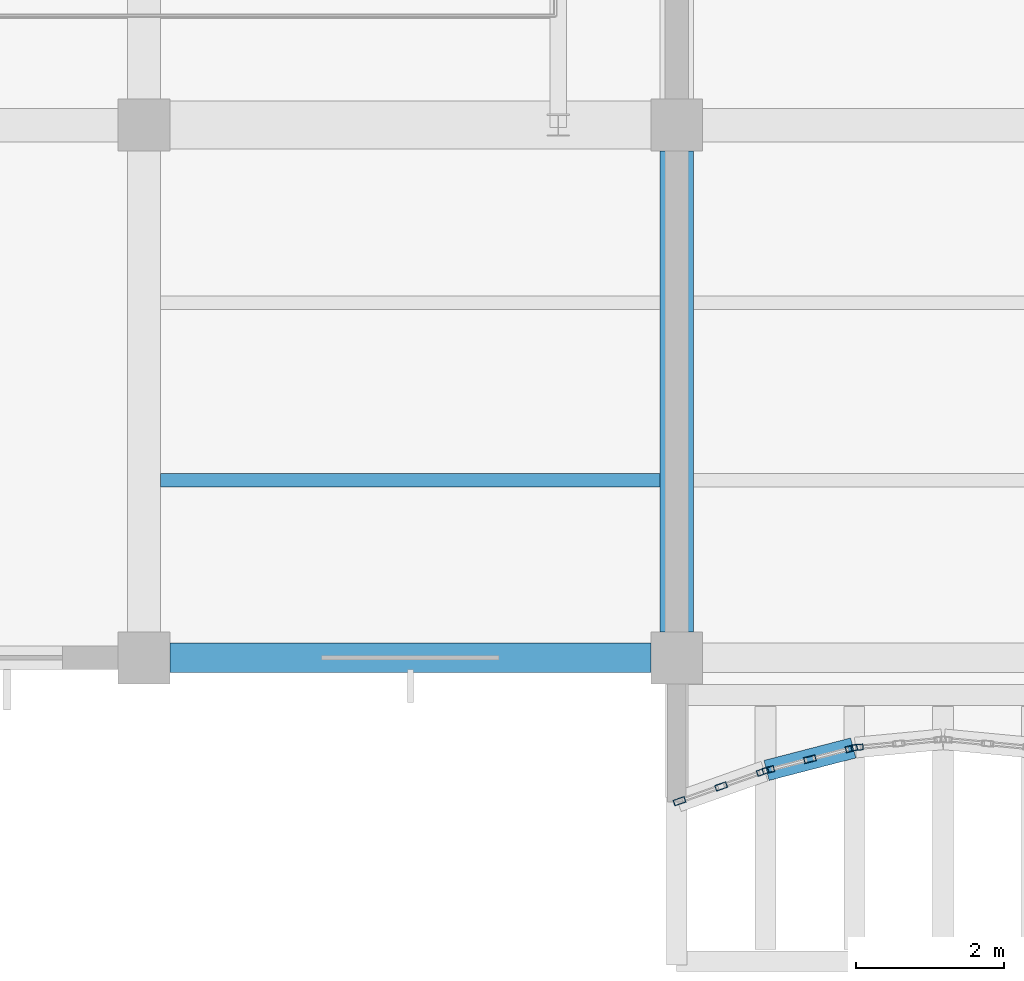
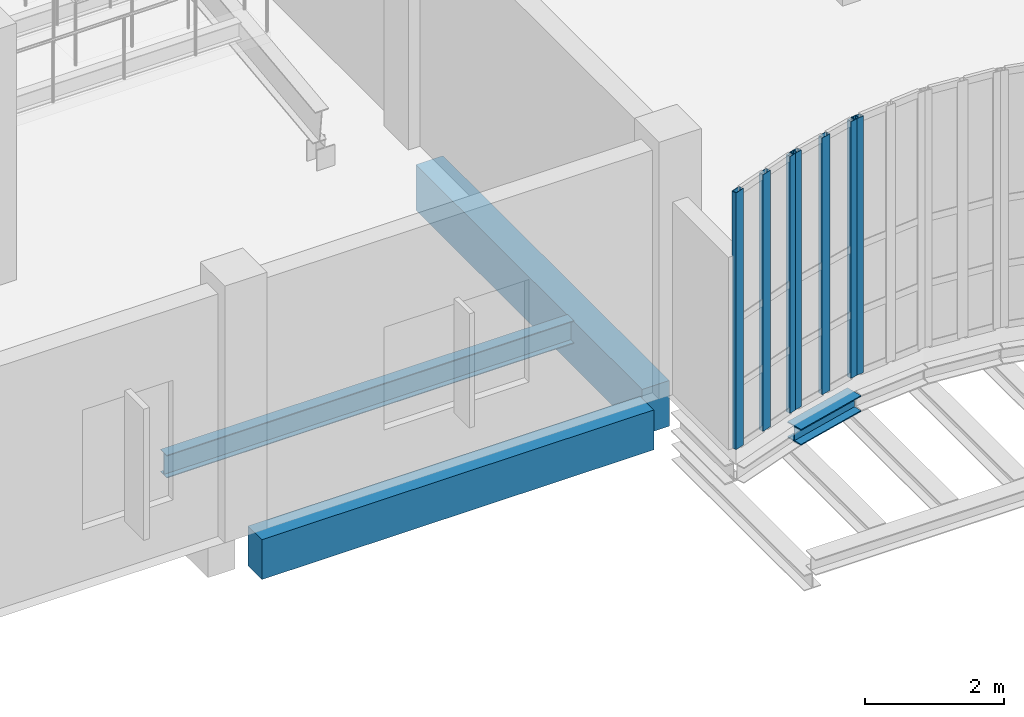
# One storey, part 11 of 108: 7 members, 4 beams, 3 elements without a shape of their own.
"""IFC4 building model written with IfcOpenShell, lengths in metres."""

import ifcopenshell
import ifcopenshell.guid

model = None  # the IFC model being written
_history = None  # IfcOwnerHistory: only IFC2X3 demands one
_inside = {}  # id of a spatial element -> (the spatial element, [elements in it])
_under = {}  # id of a project, library or spatial element -> (it, [spatial elements below it])
_declared = {}  # id of a project -> (the project, [libraries it declares])
_typed = {}  # id of a type object -> (the type object, [elements of that type])
_made_of = {}  # id of a material, layer set ... -> (it, [elements and type objects made of it])


def new_model(schema):
    """Start an empty IFC model of exactly this schema.

    Asked for "IFC4X3", IfcOpenShell would pick the latest addendum, in which some entities
    have other attributes; the version numbers below select the first issue.
    IFC2X3 requires an IfcOwnerHistory on every rooted entity: one is made here for all.
    """
    global model, _history
    if schema == "IFC4X3":
        model = ifcopenshell.file(schema_version=(4, 3, 0, 0))
    else:
        model = ifcopenshell.file(schema=schema)
    _inside.clear()
    _under.clear()
    _declared.clear()
    _typed.clear()
    _made_of.clear()
    _history = None
    if model.schema == "IFC2X3":
        org = make("IfcOrganization", Name="unknown")
        user = make(
            "IfcPersonAndOrganization",
            ThePerson=make("IfcPerson", FamilyName="unknown"),
            TheOrganization=org,
        )
        app = make(
            "IfcApplication",
            ApplicationDeveloper=org,
            Version="unknown",
            ApplicationFullName="unknown",
            ApplicationIdentifier="unknown",
        )
        _history = make(
            "IfcOwnerHistory",
            OwningUser=user,
            OwningApplication=app,
            ChangeAction="ADDED",
            CreationDate=0,
        )
    return model


def make(cls, **values):
    """One entity of the class cls with the attributes given. An attribute that is None is left unset."""
    return model.create_entity(
        cls, **{name: value for name, value in values.items() if value is not None}
    )


def rooted(cls, **values):
    """An entity with a GlobalId (a new one), such as an element, a storey or a relation."""
    return make(cls, GlobalId=ifcopenshell.guid.new(), OwnerHistory=_history, **values)


def si_unit(unit_type, name, prefix=None):
    """IfcSIUnit, for example si_unit("LENGTHUNIT", "METRE", prefix="MILLI")."""
    return make("IfcSIUnit", UnitType=unit_type, Prefix=prefix, Name=name)


def assignment(units):
    """IfcUnitAssignment: the units of a project."""
    return None if units is None else make("IfcUnitAssignment", Units=units)


def point(xyz):
    """IfcCartesianPoint."""
    return None if xyz is None else make("IfcCartesianPoint", Coordinates=xyz)


def direction(xyz):
    """IfcDirection."""
    return None if xyz is None else make("IfcDirection", DirectionRatios=xyz)


def frame(location, z_axis=None, x_axis=None):
    """IfcAxis2Placement3D, a coordinate frame: its origin and axes. An axis left out is left unset."""
    return make(
        "IfcAxis2Placement3D",
        Location=point(location),
        Axis=direction(z_axis),
        RefDirection=direction(x_axis),
    )


def frame_2d(location, x_axis=None):
    """IfcAxis2Placement2D, a coordinate frame in the plane: its origin and x axis."""
    return make(
        "IfcAxis2Placement2D", Location=point(location), RefDirection=direction(x_axis)
    )


def origin():
    """The frame at (0, 0, 0) with its axes left unset."""
    return frame((0.0, 0.0, 0.0))


def origin_2d():
    """The frame at (0, 0) in the plane with its x axis left unset."""
    return frame_2d((0.0, 0.0))


def place(relative_to, where):
    """IfcLocalPlacement: puts the frame where relative to a parent placement (None: the world)."""
    return make(
        "IfcLocalPlacement", PlacementRelTo=relative_to, RelativePlacement=where
    )


def context(
    kind, dimensions, precision=None, world=None, true_north=None, identifier=None
):
    """IfcGeometricRepresentationContext, for example the 3D "Model" context."""
    return make(
        "IfcGeometricRepresentationContext",
        ContextIdentifier=identifier,
        ContextType=kind,
        CoordinateSpaceDimension=dimensions,
        Precision=precision,
        WorldCoordinateSystem=world,
        TrueNorth=true_north,
    )


def subcontext(parent, identifier, kind, view, scale=None):
    """IfcGeometricRepresentationSubContext, for example "Body" below "Model"."""
    return make(
        "IfcGeometricRepresentationSubContext",
        ContextIdentifier=identifier,
        ContextType=kind,
        ParentContext=parent,
        TargetScale=scale,
        TargetView=view,
    )


def project(units=None, contexts=None):
    """IfcProject with its units and contexts."""
    return rooted(
        "IfcProject",
        Name="project",
        RepresentationContexts=contexts,
        UnitsInContext=assignment(units),
    )


def spatial(cls, under=None, at=None, **own):
    """A site, building, storey or space (cls), placed at a placement, below another one or the project."""
    s = rooted(cls, ObjectPlacement=at, **own)
    if under is not None:
        _under.setdefault(under.id(), (under, []))[1].append(s)
    return s


def profile(cls, at=None, kind="AREA", **sizes):
    """A parametric profile (cls). Its sizes go by their IFC names, for example OverallWidth=200.0."""
    return make(cls, ProfileType=kind, Position=at, **sizes)


def rectangle(**sizes):
    """IfcRectangleProfileDef."""
    return profile("IfcRectangleProfileDef", **sizes)


def hollow_rectangle(**sizes):
    """IfcRectangleHollowProfileDef."""
    return profile("IfcRectangleHollowProfileDef", **sizes)


def i_section(**sizes):
    """IfcIShapeProfileDef."""
    return profile("IfcIShapeProfileDef", **sizes)


def extrude(swept, where, along, depth):
    """IfcExtrudedAreaSolid: the profile swept, set in the frame where, extruded along a direction by depth."""
    return make(
        "IfcExtrudedAreaSolid",
        SweptArea=swept,
        Position=where,
        ExtrudedDirection=direction(along),
        Depth=depth,
    )


def shape(context_of_items, identifier, shape_type, items):
    """IfcShapeRepresentation: the items that make up one representation, for example the "Body"."""
    return make(
        "IfcShapeRepresentation",
        ContextOfItems=context_of_items,
        RepresentationIdentifier=identifier,
        RepresentationType=shape_type,
        Items=items,
    )


def material(Name=None, Category=None):
    """IfcMaterial."""
    return make("IfcMaterial", Name=Name, Category=Category)


def layer(
    of_material, thickness, ventilated=None, Name=None, Category=None, Priority=None
):
    """IfcMaterialLayer: one layer of a wall or slab, of a material (None: an air gap)."""
    return make(
        "IfcMaterialLayer",
        Material=of_material,
        LayerThickness=thickness,
        IsVentilated=ventilated,
        Name=Name,
        Category=Category,
        Priority=Priority,
    )


def layer_set(layers, Name=None):
    """IfcMaterialLayerSet."""
    return make("IfcMaterialLayerSet", MaterialLayers=layers, LayerSetName=Name)


def material_profile(
    of_material, cross_section, Name=None, Category=None, Priority=None
):
    """IfcMaterialProfile: a cross section and its material."""
    return make(
        "IfcMaterialProfile",
        Name=Name,
        Material=of_material,
        Profile=cross_section,
        Priority=Priority,
        Category=Category,
    )


def profile_set(profiles, Name=None, composite=None):
    """IfcMaterialProfileSet."""
    return make(
        "IfcMaterialProfileSet",
        Name=Name,
        MaterialProfiles=profiles,
        CompositeProfile=composite,
    )


def made_of(thing, what):
    """Note that an element or type object is made of a material, layer set ...; save() writes the relation."""
    if what is not None:
        _made_of.setdefault(what.id(), (what, []))[1].append(thing)
    return thing


def type_object(cls, material=None, **own):
    """A type object (cls), such as IfcWallType, which elements share."""
    return made_of(rooted(cls, **own), material)


def element(
    cls,
    number,
    at=None,
    inside=None,
    cuts=None,
    type_object=None,
    material=None,
    context=None,
    identifier="Body",
    shape_type=None,
    held_by="IfcProductDefinitionShape",
    body=None,
    shapes=None,
    **own,
):
    """One element of the class cls, such as IfcWall. Its Tag is "e" and its number.

    at: its placement. inside: the storey or other place that contains it. cuts: it is an
    opening in that element (IfcRelVoidsElement). A single representation is given by context,
    identifier, shape_type and body (its items); several are given by shapes. held_by: the class
    of the entity that holds the representations. save() writes the other relations.
    """
    e = rooted(cls, Tag="e%d" % number, ObjectPlacement=at, **own)
    if body is not None:
        shapes = [shape(context, identifier, shape_type, body)]
    if shapes is not None:
        e.Representation = make(held_by, Representations=shapes)
    if inside is not None:
        _inside.setdefault(inside.id(), (inside, []))[1].append(e)
    if cuts is not None:
        rooted(
            "IfcRelVoidsElement", RelatingBuildingElement=cuts, RelatedOpeningElement=e
        )
    if type_object is not None:
        _typed.setdefault(type_object.id(), (type_object, []))[1].append(e)
    return made_of(e, material)


def aggregate(whole, parts):
    """IfcRelAggregates: a whole, such as a stair, and the parts it consists of."""
    return rooted("IfcRelAggregates", RelatingObject=whole, RelatedObjects=parts)


def save(model, path):
    """Write the relations noted so far, then the file.

    IfcRelAggregates (storeys below a building ...), IfcRelContainedInSpatialStructure (elements
    in a storey), IfcRelDefinesByType, IfcRelAssociatesMaterial and IfcRelDeclares: one each for
    every whole, place, type object, material and project.
    """
    for whole, parts in _under.values():
        aggregate(whole, parts)
    for where, things in _inside.values():
        rooted(
            "IfcRelContainedInSpatialStructure",
            RelatedElements=things,
            RelatingStructure=where,
        )
    for kind, things in _typed.values():
        rooted("IfcRelDefinesByType", RelatedObjects=things, RelatingType=kind)
    for what, things in _made_of.values():
        rooted("IfcRelAssociatesMaterial", RelatedObjects=things, RelatingMaterial=what)
    for by, libraries in _declared.values():
        rooted("IfcRelDeclares", RelatingContext=by, RelatedDefinitions=libraries)
    model.write(path)


model = new_model("IFC4")

# Units and contexts
model_context = context("Model", 3, precision=1e-05, world=origin(), true_north=direction((0.0, 1.0)))
body_context = subcontext(model_context, "Body", "Model", "MODEL_VIEW")
ifc_project = project(units=[si_unit("LENGTHUNIT", "METRE"), si_unit("AREAUNIT", "SQUARE_METRE"), si_unit("VOLUMEUNIT", "CUBIC_METRE"), si_unit("PLANEANGLEUNIT", "RADIAN"), si_unit("MASSUNIT", "GRAM", prefix="KILO"), si_unit("THERMODYNAMICTEMPERATUREUNIT", "KELVIN"), si_unit("POWERUNIT", "WATT")], contexts=[model_context])

# Site, building, storey
site_placement = place(None, origin())
site = spatial("IfcSite", under=ifc_project, at=site_placement, CompositionType="ELEMENT")
building_placement = place(site_placement, origin())
building = spatial("IfcBuilding", under=site, at=building_placement, Name="Kaldorven Railside Theatre", CompositionType="ELEMENT")
storey_placement = place(building_placement, frame((0.0, 0.0, 5.39990234375)))
storey = spatial("IfcBuildingStorey", under=building, at=storey_placement, Name="L01", CompositionType="ELEMENT", Elevation=5.39990234375)

# Beams
ifc_material_1 = material(Name="Steel S355", Category="steel")
ifc_material_profile_1 = material_profile(ifc_material_1, i_section(OverallWidth=0.280029296875, OverallDepth=0.280029296875, WebThickness=0.010498046875, FlangeThickness=0.01806640625, at=origin_2d()), Name="HEB 280")
ifc_profile_set_1 = profile_set([ifc_material_profile_1], Name="Steel S355")
beam_type_1 = type_object("IfcBeamType", Name="BM-HEB280", PredefinedType="SPANDREL", material=ifc_profile_set_1)
beam_1_placement = place(storey_placement, frame((38.014404296875, 17.6787109375, -0.43994140625), z_axis=(0.967980555895, 0.25102518481, 0.0), x_axis=(-0.25102518481, 0.967980555895, 0.0)))
element("IfcBeam", 1, at=beam_1_placement, inside=storey, type_object=beam_type_1, Name="L01 Sinusoidal Flute Edge Spandrel FSB-002", PredefinedType="SPANDREL", context=body_context, shape_type="SweptSolid", body=[
    extrude(i_section(OverallWidth=0.280029296875, OverallDepth=0.280029296875, WebThickness=0.010498046875, FlangeThickness=0.01806640625, at=origin_2d()), origin(), (0.0, 0.0, 1.0), 1.2099609375),
])
ifc_material_profile_2 = material_profile(ifc_material_1, i_section(OverallWidth=0.179931640625, OverallDepth=0.39990234375, WebThickness=0.008544921875, FlangeThickness=0.013427734375, at=origin_2d()), Name="IPE 400")
ifc_profile_set_2 = profile_set([ifc_material_profile_2], Name="Steel S355")
beam_type_2 = type_object("IfcBeamType", Name="BM-IPE400", PredefinedType="JOIST", material=ifc_profile_set_2)
beam_2_placement = place(storey_placement, frame((29.824951171875, 21.60009765625, -0.47998046875), z_axis=(1.0, 0.0, 0.0), x_axis=(0.0, 1.0, 0.0)))
element("IfcBeam", 2, at=beam_2_placement, inside=storey, type_object=beam_type_2, Name="L01 Secondary Floor Joist JG-L01-029-0216", PredefinedType="JOIST", context=body_context, shape_type="SweptSolid", body=[
    extrude(i_section(OverallWidth=0.179931640625, OverallDepth=0.39990234375, WebThickness=0.008544921875, FlangeThickness=0.013427734375, at=origin_2d()), origin(), (0.0, 0.0, 1.0), 6.75),
])
ifc_material_2 = material(Name="Concrete C40/50", Category="concrete")
ifc_material_profile_3 = material_profile(ifc_material_2, rectangle(XDim=0.39990234375, YDim=0.699951171875, at=origin_2d()), Name="RC 400x700")
ifc_profile_set_3 = profile_set([ifc_material_profile_3], Name="Concrete C40/50")
beam_type_3 = type_object("IfcBeamType", Name="BM-RC400x700", PredefinedType="BEAM", material=ifc_profile_set_3)
beam_3_placement = place(storey_placement, frame((29.949951171875, 19.199951171875, -0.6298828125), z_axis=(1.0, 0.0, 0.0), x_axis=(0.0, 1.0, 0.0)))
element("IfcBeam", 3, at=beam_3_placement, inside=storey, type_object=beam_type_3, Name="L01 Girder BGX-L01-029-019", PredefinedType="BEAM", context=body_context, shape_type="SweptSolid", body=[
    extrude(rectangle(XDim=0.39990234375, YDim=0.699951171875, at=origin_2d()), origin(), (0.0, 0.0, 1.0), 6.5),
])
ifc_material_profile_4 = material_profile(ifc_material_2, rectangle(XDim=0.449951171875, YDim=0.800048828125, at=origin_2d()), Name="RC 450x800")
ifc_profile_set_4 = profile_set([ifc_material_profile_4], Name="Concrete C40/50")
beam_type_4 = type_object("IfcBeamType", Name="BM-RC450x800", PredefinedType="BEAM", material=ifc_profile_set_4)
beam_4_placement = place(storey_placement, frame((36.800048828125, 19.550048828125, -0.699951171875), z_axis=(0.0, 1.0, 0.0), x_axis=(-1.0, 0.0, 0.0)))
element("IfcBeam", 4, at=beam_4_placement, inside=storey, type_object=beam_type_4, Name="L01 Girder BGY-L01-036-019-72", PredefinedType="BEAM", context=body_context, shape_type="SweptSolid", body=[
    extrude(rectangle(XDim=0.449951171875, YDim=0.800048828125, at=origin_2d()), origin(), (0.0, 0.0, 1.0), 6.5),
])

# Curtain wall, members
ifc_material_3 = material(Name="Low-E laminated solar-control glass", Category="glass")
ifc_layer_1 = layer(ifc_material_3, 0.159912109375, Name="Low-E laminated solar-control glass")
ifc_layer_set_1 = layer_set([ifc_layer_1], Name="Low-E laminated solar-control glass")
curtain_wall_type_1 = type_object("IfcCurtainWallType", Name="CWT-01", PredefinedType="USERDEFINED", material=ifc_layer_set_1)
curtain_wall_1_placement = place(storey_placement, origin())
curtain_wall_1 = element("IfcCurtainWall", 5, at=curtain_wall_1_placement, inside=storey, type_object=curtain_wall_type_1, Name="Sinusoidal Fluted Curtain Wall CW-L01-S01", ObjectType="FLUTED GLAZING", PredefinedType="USERDEFINED")
ifc_material_4 = material(Name="Anodised bronze aluminium", Category="aluminium")
ifc_material_profile_5 = material_profile(ifc_material_4, hollow_rectangle(XDim=0.080078125, YDim=0.159912109375, WallThickness=0.00634765625, at=origin_2d()), Name="RHS 160x80x6.3")
ifc_profile_set_5 = profile_set([ifc_material_profile_5], Name="Anodised bronze aluminium")
member_type = type_object("IfcMemberType", Name="CWM-160", PredefinedType="MULLION", material=ifc_profile_set_5)
member_1_placement = place(storey_placement, frame((36.837646484375, 17.263427734375, 0.0), z_axis=(0.0, 0.0, 1.0), x_axis=(-0.33384714225, 0.942627225159, 0.0)))
member_1 = element("IfcMember", 6, at=member_1_placement, type_object=member_type, Name="CW-L01-S01 mullion 1", PredefinedType="MULLION", context=body_context, shape_type="SweptSolid", body=[
    extrude(hollow_rectangle(XDim=0.080078125, YDim=0.159912109375, WallThickness=0.00634765625, at=origin_2d()), origin(), (0.0, 0.0, 1.0), 4.5),
])
member_2_placement = place(storey_placement, frame((37.39990234375, 17.46240234375, 0.0), z_axis=(0.0, 0.0, 1.0), x_axis=(-0.33384714225, 0.942627225159, 0.0)))
member_2 = element("IfcMember", 7, at=member_2_placement, type_object=member_type, Name="CW-L01-S01 mullion 2", PredefinedType="MULLION", context=body_context, shape_type="SweptSolid", body=[
    extrude(hollow_rectangle(XDim=0.080078125, YDim=0.159912109375, WallThickness=0.00634765625, at=origin_2d()), origin(), (0.0, 0.0, 1.0), 4.5),
])
member_3_placement = place(storey_placement, frame((37.96240234375, 17.66162109375, 0.0), z_axis=(0.0, 0.0, 1.0), x_axis=(-0.33384714225, 0.942627225159, 0.0)))
member_3 = element("IfcMember", 8, at=member_3_placement, type_object=member_type, Name="CW-L01-S01 mullion 3", PredefinedType="MULLION", context=body_context, shape_type="SweptSolid", body=[
    extrude(hollow_rectangle(XDim=0.080078125, YDim=0.159912109375, WallThickness=0.00634765625, at=origin_2d()), origin(), (0.0, 0.0, 1.0), 4.5),
])
aggregate(curtain_wall_1, [member_1, member_2, member_3])

ifc_layer_2 = layer(ifc_material_3, 0.159912109375, Name="Low-E laminated solar-control glass")
ifc_layer_set_2 = layer_set([ifc_layer_2], Name="Low-E laminated solar-control glass")
curtain_wall_type_2 = type_object("IfcCurtainWallType", Name="CWT-02", PredefinedType="USERDEFINED", material=ifc_layer_set_2)
curtain_wall_2_placement = place(storey_placement, origin())
curtain_wall_2 = element("IfcCurtainWall", 9, at=curtain_wall_2_placement, inside=storey, type_object=curtain_wall_type_2, Name="Sinusoidal Fluted Curtain Wall CW-L01-S02", ObjectType="FLUTED GLAZING", PredefinedType="USERDEFINED")
member_4_placement = place(storey_placement, frame((38.038818359375, 17.68505859375, 0.0), z_axis=(0.0, 0.0, 1.0), x_axis=(-0.250953760326, 0.967999075505, 0.0)))
member_4 = element("IfcMember", 10, at=member_4_placement, type_object=member_type, Name="CW-L01-S02 mullion 1", PredefinedType="MULLION", context=body_context, shape_type="SweptSolid", body=[
    extrude(hollow_rectangle(XDim=0.080078125, YDim=0.159912109375, WallThickness=0.00634765625, at=origin_2d()), origin(), (0.0, 0.0, 1.0), 4.5),
])
member_5_placement = place(storey_placement, frame((38.60009765625, 17.83056640625, 0.0), z_axis=(0.0, 0.0, 1.0), x_axis=(-0.250953760326, 0.967999075505, 0.0)))
member_5 = element("IfcMember", 11, at=member_5_placement, type_object=member_type, Name="CW-L01-S02 mullion 2", PredefinedType="MULLION", context=body_context, shape_type="SweptSolid", body=[
    extrude(hollow_rectangle(XDim=0.080078125, YDim=0.159912109375, WallThickness=0.00634765625, at=origin_2d()), origin(), (0.0, 0.0, 1.0), 4.5),
])
member_6_placement = place(storey_placement, frame((39.161376953125, 17.97607421875, 0.0), z_axis=(0.0, 0.0, 1.0), x_axis=(-0.250953760326, 0.967999075505, 0.0)))
member_6 = element("IfcMember", 12, at=member_6_placement, type_object=member_type, Name="CW-L01-S02 mullion 3", PredefinedType="MULLION", context=body_context, shape_type="SweptSolid", body=[
    extrude(hollow_rectangle(XDim=0.080078125, YDim=0.159912109375, WallThickness=0.00634765625, at=origin_2d()), origin(), (0.0, 0.0, 1.0), 4.5),
])
aggregate(curtain_wall_2, [member_4, member_5, member_6])

# Curtain wall, member
ifc_layer_3 = layer(ifc_material_3, 0.159912109375, Name="Low-E laminated solar-control glass")
ifc_layer_set_3 = layer_set([ifc_layer_3], Name="Low-E laminated solar-control glass")
curtain_wall_type_3 = type_object("IfcCurtainWallType", Name="CWT-03", PredefinedType="USERDEFINED", material=ifc_layer_set_3)
curtain_wall_3_placement = place(storey_placement, origin())
curtain_wall_3 = element("IfcCurtainWall", 13, at=curtain_wall_3_placement, inside=storey, type_object=curtain_wall_type_3, Name="Sinusoidal Fluted Curtain Wall CW-L01-S03", ObjectType="FLUTED GLAZING", PredefinedType="USERDEFINED")
member_7_placement = place(storey_placement, frame((39.23974609375, 17.989990234375, 0.0), z_axis=(0.0, 0.0, 1.0), x_axis=(-0.094491973758, 0.995525623425, 0.0)))
member_7 = element("IfcMember", 14, at=member_7_placement, type_object=member_type, Name="CW-L01-S03 mullion 1", PredefinedType="MULLION", context=body_context, shape_type="SweptSolid", body=[
    extrude(hollow_rectangle(XDim=0.080078125, YDim=0.159912109375, WallThickness=0.00634765625, at=origin_2d()), origin(), (0.0, 0.0, 1.0), 4.5),
])
aggregate(curtain_wall_3, [member_7])

save(model, "model.ifc")
